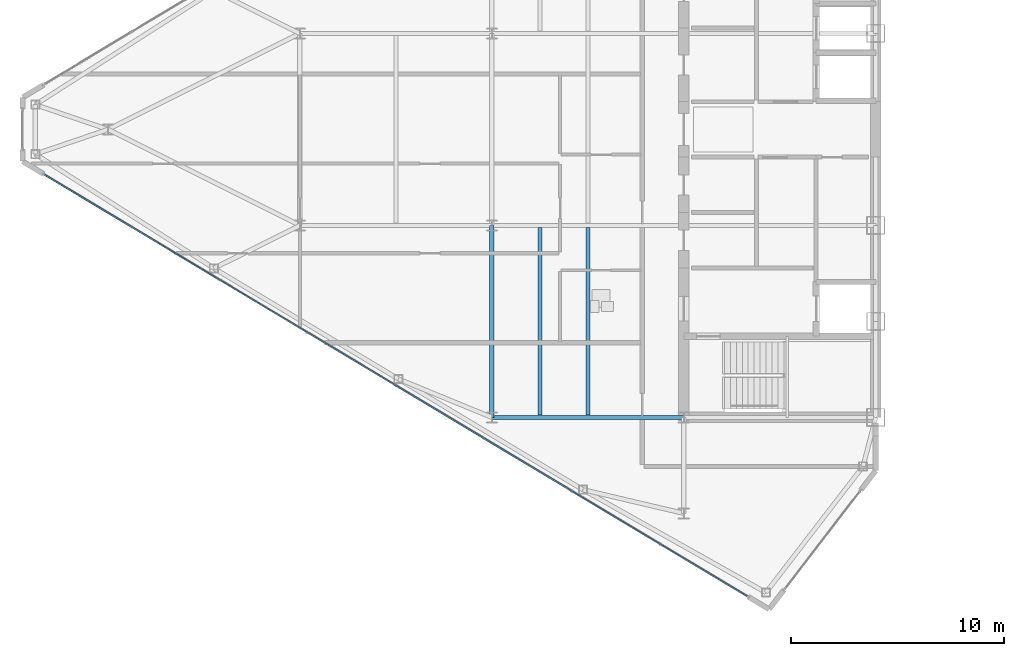
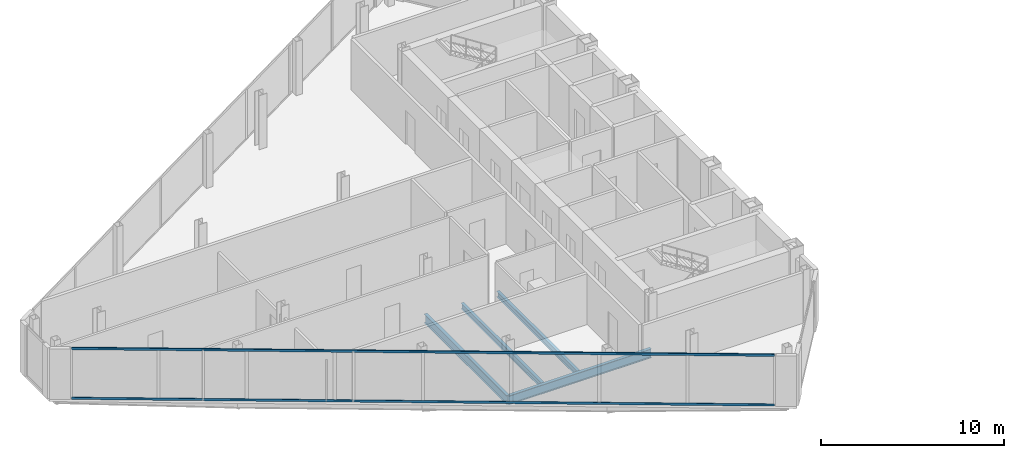
# One storey, part 6 of 25: 4 beams, 2 members, 1 element without a shape of its own.
"""IFC4 building model written with IfcOpenShell, lengths in metres."""

from ifc_helpers import new_model, si_unit, direction, frame, origin, origin_2d, place, context, subcontext, project, spatial, rectangle, i_section, extrude, source, transform, mapped, material, layer, layer_set, material_profile, profile_set, type_object, type_shapes, element, aggregate, save


model = new_model("IFC4")

# Units and contexts
model_context = context("Model", 3, precision=1e-05, world=origin(), true_north=direction((0.0, 1.0)))
body_context = subcontext(model_context, "Body", "Model", "MODEL_VIEW")
ifc_project = project(units=[si_unit("LENGTHUNIT", "METRE"), si_unit("AREAUNIT", "SQUARE_METRE"), si_unit("VOLUMEUNIT", "CUBIC_METRE"), si_unit("PLANEANGLEUNIT", "RADIAN"), si_unit("MASSUNIT", "GRAM", prefix="KILO")], contexts=[model_context])

# Site, building, storey
site_placement = place(None, origin())
site = spatial("IfcSite", under=ifc_project, at=site_placement, CompositionType="ELEMENT")
building_placement = place(site_placement, origin())
building = spatial("IfcBuilding", under=site, at=building_placement, Name="Seokmaru Belvedere", CompositionType="ELEMENT")
storey_placement = place(building_placement, frame((0.0, 0.0, 210.300048828125)))
storey = spatial("IfcBuildingStorey", under=building, at=storey_placement, Name="L56", CompositionType="ELEMENT", Elevation=210.300048828125)

# Beams
ifc_material_1 = material(Name="Steel SM355 (355 MPa)", Category="steel")
ifc_material_profile_1 = material_profile(ifc_material_1, i_section(OverallWidth=0.199951171875, OverallDepth=0.60009765625, WebThickness=0.010986328125, FlangeThickness=0.01708984375, at=origin_2d()), Name="H-600x200x11x17")
ifc_profile_set_1 = profile_set([ifc_material_profile_1], Name="Steel SM355 (355 MPa)")
beam_type_1 = type_object("IfcBeamType", Name="Primary Floor Girder H-600", PredefinedType="BEAM", material=ifc_profile_set_1)
shared_shape_1 = source(origin(), body_context, "Body", "SweptSolid", [
    extrude(i_section(OverallWidth=0.199951171875, OverallDepth=0.60009765625, WebThickness=0.010986328125, FlangeThickness=0.01708984375, at=origin_2d()), origin(), (0.0, 0.0, 1.0), 9.0),
])
type_shapes(beam_type_1, [shared_shape_1])
for number, where, z_axis, x_axis, name in (
    (1, (-45.5, -13.5, -0.52001953125), (0.0, 1.0, 0.0), (-1.0, 0.0, 0.0), "L56 W Interior Grid Girder 1"),
    (2, (-45.5, -13.5, -0.52001953125), (1.0, 0.0, 0.0), (0.0, 1.0, 0.0), "L56 W Wing Primary Girder 1"),
):
    element("IfcBeam", number, at=place(storey_placement, frame(where, z_axis=z_axis, x_axis=x_axis)), inside=storey, type_object=beam_type_1, Name=name, PredefinedType="BEAM", context=body_context, shape_type="MappedRepresentation", body=[
        mapped(shared_shape_1, transform((0.0, 0.0, 0.0), scale=1.0)),
    ])
ifc_material_profile_2 = material_profile(ifc_material_1, i_section(OverallWidth=0.18505859375, OverallDepth=0.389892578125, WebThickness=0.008056640625, FlangeThickness=0.011962890625, at=origin_2d()), Name="H-390x185x8x12")
ifc_profile_set_2 = profile_set([ifc_material_profile_2], Name="Steel SM355 (355 MPa)")
beam_type_2 = type_object("IfcBeamType", Name="Secondary Floor Joist H-350", PredefinedType="JOIST", material=ifc_profile_set_2)
shared_shape_2 = source(origin(), body_context, "Body", "SweptSolid", [
    extrude(i_section(OverallWidth=0.18505859375, OverallDepth=0.389892578125, WebThickness=0.008056640625, FlangeThickness=0.011962890625, at=origin_2d()), origin(), (0.0, 0.0, 1.0), 8.7900390625),
])
type_shapes(beam_type_2, [shared_shape_2])
for number, where, z_axis, x_axis, name in (
    (3, (-43.25, -13.39501953125, -0.4150390625), (0.0, 1.0, 0.0), (-1.0, 0.0, 0.0), "L56 W Wing Inner Secondary Joist 1"),
    (4, (-41.0, -13.39501953125, -0.4150390625), (0.0, 1.0, 0.0), (-1.0, 0.0, 0.0), "L56 W Secondary Floor Joist 1"),
):
    element("IfcBeam", number, at=place(storey_placement, frame(where, z_axis=z_axis, x_axis=x_axis)), inside=storey, type_object=beam_type_2, Name=name, PredefinedType="JOIST", context=body_context, shape_type="MappedRepresentation", body=[
        mapped(shared_shape_2, transform((0.0, 0.0, 0.0), scale=1.0)),
    ])

# Curtain wall, members
ifc_material_2 = material(Name="Bronze Triple Insulating Glass", Category="glass")
ifc_layer = layer(ifc_material_2, 0.179931640625)
ifc_layer_set = layer_set([ifc_layer], Name="Bronze Triple Insulating Glass")
curtain_wall_type = type_object("IfcCurtainWallType", Name="High-Rise Wind-Corner Curtain Wall System CW-5", PredefinedType="NOTDEFINED", material=ifc_layer_set)
curtain_wall_placement = place(storey_placement, origin())
curtain_wall = element("IfcCurtainWall", 5, at=curtain_wall_placement, inside=storey, type_object=curtain_wall_type, Name="L56 Curtain Wall WF5", PredefinedType="NOTDEFINED")
ifc_material_3 = material(Name="Anodised Bronze Aluminium", Category="aluminium")
ifc_material_profile_3 = material_profile(ifc_material_3, rectangle(XDim=0.06494140625, YDim=0.14990234375, at=origin_2d()), Name="CW-T-65x150")
ifc_profile_set_3 = profile_set([ifc_material_profile_3], Name="Anodised Bronze Aluminium")
member_type = type_object("IfcMemberType", Name="Bronze Unitised Transom 65x150", PredefinedType="USERDEFINED", material=ifc_profile_set_3)
shared_shape_3 = source(origin(), body_context, "Body", "SweptSolid", [
    extrude(rectangle(XDim=0.06494140625, YDim=0.14990234375, at=origin_2d()), origin(), (0.0, 0.0, 1.0), 38.386962890625),
])
type_shapes(member_type, [shared_shape_3])
member_1_placement = place(storey_placement, frame((-66.458251953125, -2.125, 0.032470703125), z_axis=(0.85749180336, -0.514497626011, 0.0), x_axis=(0.514497626011, 0.85749180336, 0.0)))
member_1 = element("IfcMember", 6, at=member_1_placement, type_object=member_type, Name="CW:L56:WF5 Continuous Transom 1", ObjectType="TRANSOM", PredefinedType="USERDEFINED", context=body_context, shape_type="MappedRepresentation", body=[
    mapped(shared_shape_3, transform((0.0, 0.0, 0.0), scale=1.0)),
])
member_2_placement = place(storey_placement, frame((-66.458251953125, -2.125, 3.347412109375), z_axis=(0.85749180336, -0.514497626011, 0.0), x_axis=(0.514497626011, 0.85749180336, 0.0)))
member_2 = element("IfcMember", 7, at=member_2_placement, type_object=member_type, Name="CW:L56:WF5 Continuous Transom 2", ObjectType="TRANSOM", PredefinedType="USERDEFINED", context=body_context, shape_type="MappedRepresentation", body=[
    mapped(shared_shape_3, transform((0.0, 0.0, 0.0), scale=1.0)),
])
aggregate(curtain_wall, [member_1, member_2])

save(model, "model.ifc")
